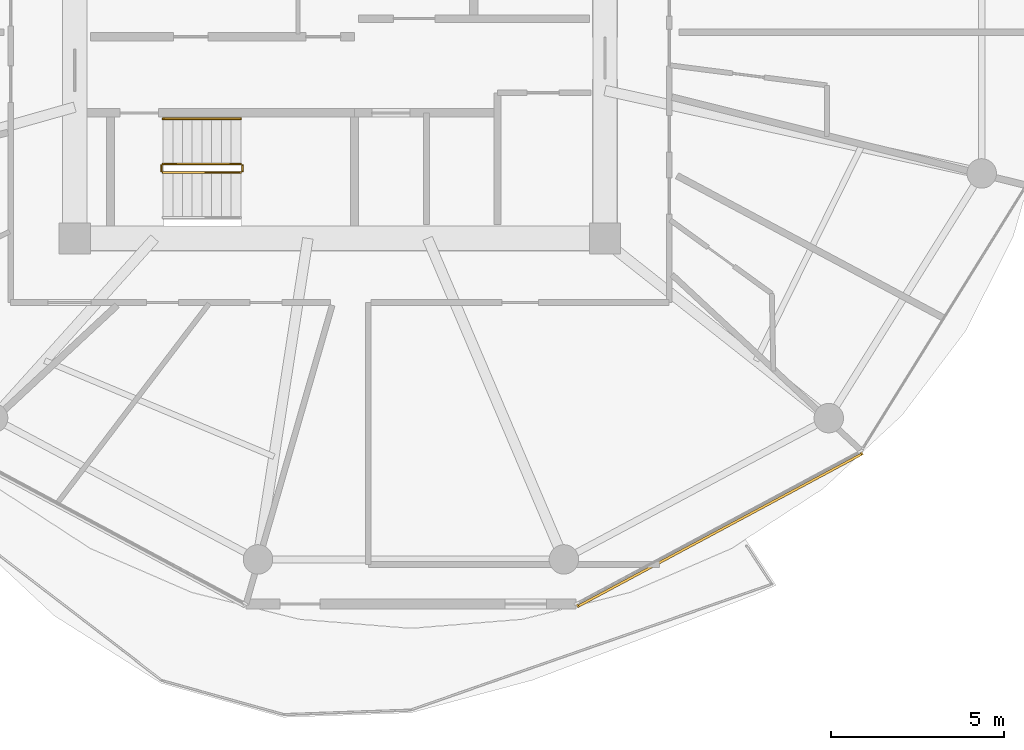
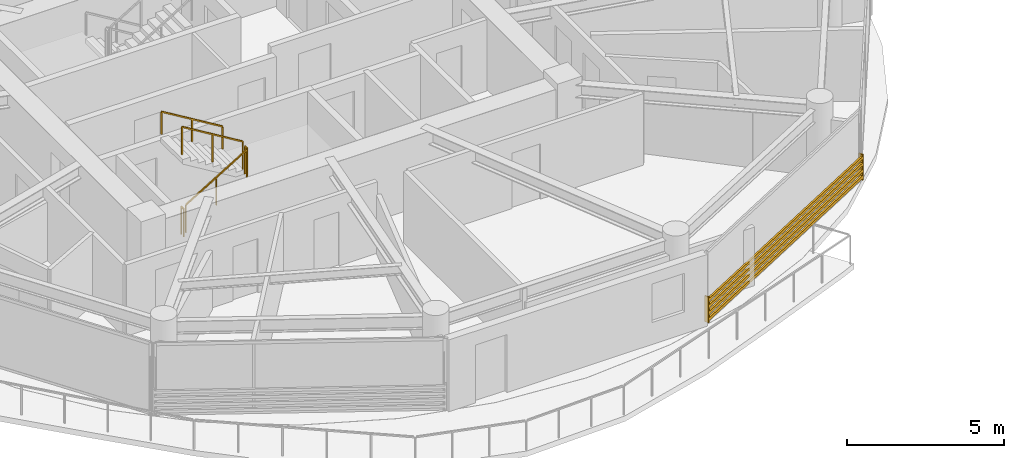
# One storey, part 20 of 24: 5 railings, 1 shading device.
"""IFC4 building model written with IfcOpenShell, lengths in metres."""

from ifc_helpers import new_model, si_unit, direction, frame, origin, origin_2d, place, context, subcontext, project, spatial, rectangle, extrude, source, transform, mapped, material, type_object, type_shapes, element, save


model = new_model("IFC4")

# Units and contexts
model_context = context("Model", 3, precision=1e-05, world=origin(), true_north=direction((0.0, 1.0)))
body_context = subcontext(model_context, "Body", "Model", "MODEL_VIEW")
ifc_project = project(units=[si_unit("LENGTHUNIT", "METRE"), si_unit("AREAUNIT", "SQUARE_METRE"), si_unit("VOLUMEUNIT", "CUBIC_METRE"), si_unit("PLANEANGLEUNIT", "RADIAN"), si_unit("MASSUNIT", "GRAM", prefix="KILO")], contexts=[model_context])

# Site, building, storey
site_placement = place(None, origin())
site = spatial("IfcSite", under=ifc_project, at=site_placement, CompositionType="ELEMENT")
building_placement = place(site_placement, origin())
building = spatial("IfcBuilding", under=site, at=building_placement, Name="Norrkilde Senior Care Towers", CompositionType="ELEMENT")
storey_placement = place(building_placement, frame((0.0, 0.0, 102.35009765625)))
storey = spatial("IfcBuildingStorey", under=building, at=storey_placement, Name="L31", CompositionType="ELEMENT", Elevation=102.35009765625)

# Railings
ifc_material_1 = material(Name="Stainless Steel", Category="steel")
railing_type_1 = type_object("IfcRailingType", Name="Stair and Terrace Guardrail 1100", PredefinedType="GUARDRAIL", material=ifc_material_1)
railing_1_placement = place(storey_placement, frame((-33.10009765625, -4.050048828125, 0.16943359375)))
element("IfcRailing", 1, at=railing_1_placement, inside=storey, type_object=railing_type_1, Name="L31 ST-W2 stair guard 1", PredefinedType="GUARDRAIL", context=body_context, shape_type="SweptSolid", body=[
    extrude(rectangle(XDim=0.048095703125, YDim=0.048095703125, at=origin_2d()), frame((0.0, 0.0, 1.076171875), z_axis=(0.855553338991, 0.0, 0.51771467445), x_axis=(0.0, 1.0, 0.0)), (0.0, 0.0, 1.0), 2.6181640625),
    extrude(rectangle(XDim=0.0419921875, YDim=0.0419921875, at=origin_2d()), origin(), (0.0, 0.0, 1.0), 1.050048828125),
    extrude(rectangle(XDim=0.0419921875, YDim=0.0419921875, at=origin_2d()), frame((1.1201171875, 0.0, 0.677734375)), (0.0, 0.0, 1.0), 1.050048828125),
    extrude(rectangle(XDim=0.0419921875, YDim=0.0419921875, at=origin_2d()), frame((2.239990234375, 0.0, 1.35546875)), (0.0, 0.0, 1.0), 1.050048828125),
])
railing_2_placement = place(storey_placement, frame((-30.81005859375, -4.0, 1.52490234375)))
element("IfcRailing", 2, at=railing_2_placement, inside=storey, type_object=railing_type_1, Name="L31 ST-W2 stair guard 2", PredefinedType="GUARDRAIL", context=body_context, shape_type="SweptSolid", body=[
    extrude(rectangle(XDim=0.048095703125, YDim=0.048095703125, at=origin_2d()), frame((0.0, 0.0, 1.076171875), z_axis=(0.0, 1.0, 0.0), x_axis=(-1.0, 0.0, 0.0)), (0.0, 0.0, 1.0), 0.14990234375),
    extrude(rectangle(XDim=0.0419921875, YDim=0.0419921875, at=origin_2d()), origin(), (0.0, 0.0, 1.0), 1.050048828125),
    extrude(rectangle(XDim=0.0419921875, YDim=0.0419921875, at=origin_2d()), frame((0.0, 0.14990234375, 0.0)), (0.0, 0.0, 1.0), 1.050048828125),
])
railing_3_placement = place(storey_placement, frame((-30.860107421875, -3.800048828125, 1.6943359375)))
element("IfcRailing", 3, at=railing_3_placement, inside=storey, type_object=railing_type_1, Name="L31 ST-W2 stair guard 3", PredefinedType="GUARDRAIL", context=body_context, shape_type="SweptSolid", body=[
    extrude(rectangle(XDim=0.048095703125, YDim=0.048095703125, at=origin_2d()), frame((0.0, 0.0, 1.076171875), z_axis=(-0.855553338991, 0.0, 0.51771467445), x_axis=(0.0, -1.0, 0.0)), (0.0, 0.0, 1.0), 2.6181640625),
    extrude(rectangle(XDim=0.0419921875, YDim=0.0419921875, at=origin_2d()), origin(), (0.0, 0.0, 1.0), 1.050048828125),
    extrude(rectangle(XDim=0.0419921875, YDim=0.0419921875, at=origin_2d()), frame((-1.1201171875, 0.0, 0.677734375)), (0.0, 0.0, 1.0), 1.050048828125),
    extrude(rectangle(XDim=0.0419921875, YDim=0.0419921875, at=origin_2d()), frame((-2.239990234375, 0.0, 1.35546875)), (0.0, 0.0, 1.0), 1.050048828125),
])
railing_4_placement = place(storey_placement, frame((-33.14990234375, -4.0, 0.0)))
element("IfcRailing", 4, at=railing_4_placement, inside=storey, type_object=railing_type_1, Name="L31 ST-W2 stair guard 4", PredefinedType="GUARDRAIL", context=body_context, shape_type="SweptSolid", body=[
    extrude(rectangle(XDim=0.048095703125, YDim=0.048095703125, at=origin_2d()), frame((0.0, 0.0, 1.076171875), z_axis=(0.0, 1.0, 0.0), x_axis=(-1.0, 0.0, 0.0)), (0.0, 0.0, 1.0), 0.14990234375),
    extrude(rectangle(XDim=0.0419921875, YDim=0.0419921875, at=origin_2d()), origin(), (0.0, 0.0, 1.0), 1.050048828125),
    extrude(rectangle(XDim=0.0419921875, YDim=0.0419921875, at=origin_2d()), frame((0.0, 0.14990234375, 0.0)), (0.0, 0.0, 1.0), 1.050048828125),
])
ifc_material_2 = material(Name="Nordic Ash Timber", Category="wood")
railing_type_2 = type_object("IfcRailingType", Name="Wall and Stair Handrail 900", PredefinedType="HANDRAIL", material=ifc_material_2)
railing_5_placement = place(storey_placement, frame((-30.860107421875, -2.5, 1.6943359375)))
element("IfcRailing", 5, at=railing_5_placement, inside=storey, type_object=railing_type_2, Name="L31 ST-W2 stair handrail 2", PredefinedType="HANDRAIL", context=body_context, shape_type="SweptSolid", body=[
    extrude(rectangle(XDim=0.048095703125, YDim=0.048095703125, at=origin_2d()), frame((0.0, 0.0, 0.8759765625), z_axis=(-0.855553338991, 0.0, 0.51771467445), x_axis=(0.0, -1.0, 0.0)), (0.0, 0.0, 1.0), 2.6181640625),
    extrude(rectangle(XDim=0.0419921875, YDim=0.0419921875, at=origin_2d()), origin(), (0.0, 0.0, 1.0), 0.849853515625),
    extrude(rectangle(XDim=0.0419921875, YDim=0.0419921875, at=origin_2d()), frame((-1.1201171875, 0.0, 0.677734375)), (0.0, 0.0, 1.0), 0.849853515625),
    extrude(rectangle(XDim=0.0419921875, YDim=0.0419921875, at=origin_2d()), frame((-2.239990234375, 0.0, 1.35546875)), (0.0, 0.0, 1.0), 0.849853515625),
])

# Shading device
ifc_material_3 = material(Name="Architectural Terracotta", Category="masonry")
shading_device_type = type_object("IfcShadingDeviceType", Name="Horizontal Terracotta Baguette Rack", PredefinedType="USERDEFINED", material=ifc_material_3)
shared_shape = source(origin(), body_context, "Body", "SweptSolid", [
    extrude(rectangle(XDim=0.070068359375, YDim=0.110107421875, at=origin_2d()), frame((0.0, 0.090087890625, 0.125), z_axis=(1.0, 0.0, 0.0), x_axis=(0.0, 1.0, 0.0)), (0.0, 0.0, 1.0), 9.3505859375),
    extrude(rectangle(XDim=0.070068359375, YDim=0.110107421875, at=origin_2d()), frame((0.0, 0.090087890625, 0.375), z_axis=(1.0, 0.0, 0.0), x_axis=(0.0, 1.0, 0.0)), (0.0, 0.0, 1.0), 9.3505859375),
    extrude(rectangle(XDim=0.070068359375, YDim=0.110107421875, at=origin_2d()), frame((0.0, 0.090087890625, 0.625), z_axis=(1.0, 0.0, 0.0), x_axis=(0.0, 1.0, 0.0)), (0.0, 0.0, 1.0), 9.3505859375),
    extrude(rectangle(XDim=0.070068359375, YDim=0.110107421875, at=origin_2d()), frame((0.0, 0.090087890625, 0.875), z_axis=(1.0, 0.0, 0.0), x_axis=(0.0, 1.0, 0.0)), (0.0, 0.0, 1.0), 9.3505859375),
    extrude(rectangle(XDim=0.050048828125, YDim=0.1552734375, at=origin_2d()), frame((0.02490234375, 0.047607421875, 0.0)), (0.0, 0.0, 1.0), 1.0),
    extrude(rectangle(XDim=0.050048828125, YDim=0.1552734375, at=origin_2d()), frame((9.32568359375, 0.047607421875, 0.0)), (0.0, 0.0, 1.0), 1.0),
])
type_shapes(shading_device_type, [shared_shape])
shading_device_placement = place(storey_placement, frame((-12.953369140625, -12.077392578125, 0.079833984375), z_axis=(0.0, 0.0, 1.0), x_axis=(-0.881174934726, -0.472767624021, 0.0)))
element("IfcShadingDevice", 6, at=shading_device_placement, inside=storey, type_object=shading_device_type, Name="L31 Drum W Terracotta Baguette Screen 09", ObjectType="BAGUETTE", PredefinedType="USERDEFINED", context=body_context, shape_type="MappedRepresentation", body=[
    mapped(shared_shape, transform((0.0, 0.0, 0.0), x_axis=(1.0, 0.0, 0.0), y_axis=(0.0, 1.0, 0.0), z_axis=(0.0, 0.0, 1.0), scale=1.0)),
])

save(model, "model.ifc")
